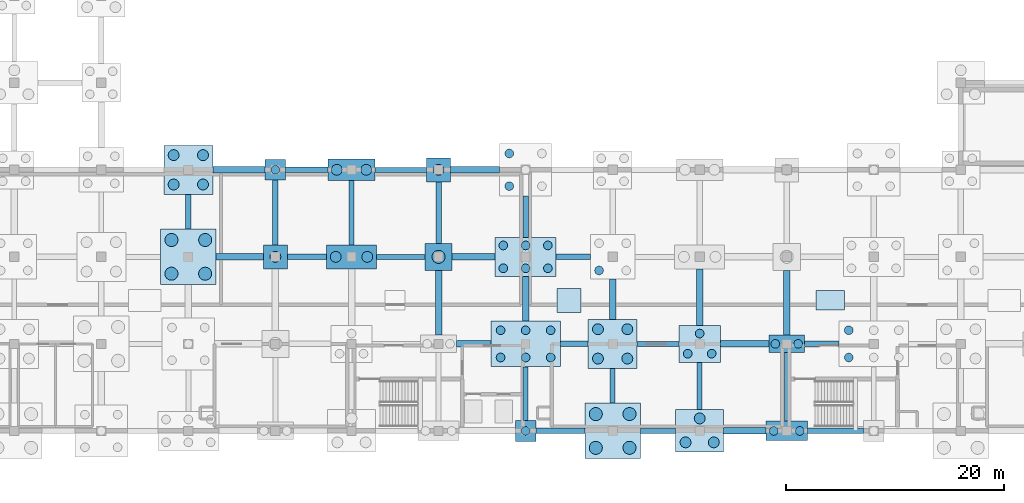
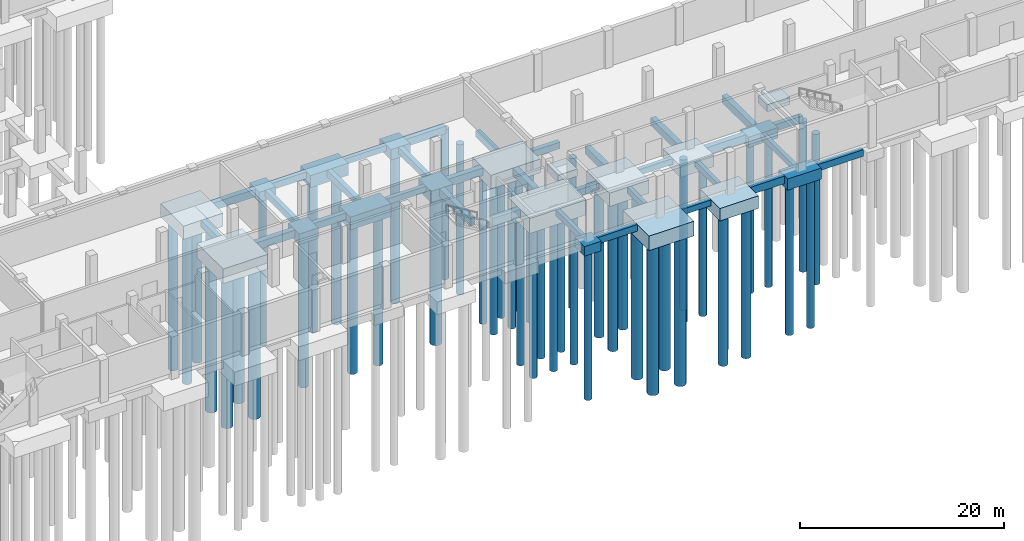
# One storey, part 5 of 26: 52 piles, 51 footings.
"""IFC4 building model written with IfcOpenShell, lengths in metres."""

from ifc_helpers import new_model, si_unit, direction, frame, origin, origin_2d, place, context, subcontext, project, spatial, rectangle, circle, extrude, material, layer, layer_set, material_profile, profile_set, type_object, element, save


model = new_model("IFC4")

# Units and contexts
model_context = context("Model", 3, precision=1e-05, world=origin(), true_north=direction((0.0, 1.0)))
body_context = subcontext(model_context, "Body", "Model", "MODEL_VIEW")
ifc_project = project(units=[si_unit("LENGTHUNIT", "METRE"), si_unit("AREAUNIT", "SQUARE_METRE"), si_unit("VOLUMEUNIT", "CUBIC_METRE"), si_unit("PLANEANGLEUNIT", "RADIAN"), si_unit("MASSUNIT", "GRAM", prefix="KILO")], contexts=[model_context])

# Site, building, storey
site_placement = place(None, origin())
site = spatial("IfcSite", under=ifc_project, at=site_placement, CompositionType="ELEMENT")
building_placement = place(site_placement, origin())
building = spatial("IfcBuilding", under=site, at=building_placement, Name="Qorikala Patio Media Centre", CompositionType="ELEMENT")
storey_placement = place(building_placement, frame((0.0, 0.0, -4.5)))
storey = spatial("IfcBuildingStorey", under=building, at=storey_placement, Name="B1", CompositionType="ELEMENT", Elevation=-4.5)

# Footings
ifc_material = material(Name="Concrete C30/37", Category="concrete")
ifc_material_profile_1 = material_profile(ifc_material, rectangle(XDim=0.449951171875, YDim=0.699951171875, at=origin_2d()), Name="RC 450x700")
ifc_profile_set_1 = profile_set([ifc_material_profile_1], Name="Concrete C30/37")
footing_type_1 = type_object("IfcFootingType", Name="GB-450X700", PredefinedType="FOOTING_BEAM", material=ifc_profile_set_1)
footing_1_placement = place(storey_placement, frame((108.550048828125, 3.0, -0.949951171875), z_axis=(1.0, 0.0, 0.0), x_axis=(0.0, 1.0, 0.0)))
element("IfcFooting", 1, at=footing_1_placement, inside=storey, type_object=footing_type_1, Name="Ground Tie Beam X-014", PredefinedType="FOOTING_BEAM", context=body_context, shape_type="SweptSolid", body=[
    extrude(rectangle(XDim=0.449951171875, YDim=0.699951171875, at=origin_2d()), origin(), (0.0, 0.0, 1.0), 3.25),
])
footing_2_placement = place(storey_placement, frame((108.25, 11.0, -0.949951171875), z_axis=(1.0, 0.0, 0.0), x_axis=(0.0, 1.0, 0.0)))
element("IfcFooting", 2, at=footing_2_placement, inside=storey, type_object=footing_type_1, Name="Ground Tie Beam X-035", PredefinedType="FOOTING_BEAM", context=body_context, shape_type="SweptSolid", body=[
    extrude(rectangle(XDim=0.449951171875, YDim=0.699951171875, at=origin_2d()), origin(), (0.0, 0.0, 1.0), 3.85009765625),
])
footing_3_placement = place(storey_placement, frame((84.300048828125, 19.0, -0.949951171875), z_axis=(1.0, 0.0, 0.0), x_axis=(0.0, 1.0, 0.0)))
element("IfcFooting", 3, at=footing_3_placement, inside=storey, type_object=footing_type_1, Name="Ground Tie Beam X-053", PredefinedType="FOOTING_BEAM", context=body_context, shape_type="SweptSolid", body=[
    extrude(rectangle(XDim=0.449951171875, YDim=0.699951171875, at=origin_2d()), origin(), (0.0, 0.0, 1.0), 4.449951171875),
])
footing_4_placement = place(storey_placement, frame((84.14990234375, 27.0, -0.949951171875), z_axis=(1.0, 0.0, 0.0), x_axis=(0.0, 1.0, 0.0)))
element("IfcFooting", 4, at=footing_4_placement, inside=storey, type_object=footing_type_1, Name="Ground Tie Beam X-074", PredefinedType="FOOTING_BEAM", context=body_context, shape_type="SweptSolid", body=[
    extrude(rectangle(XDim=0.449951171875, YDim=0.699951171875, at=origin_2d()), origin(), (0.0, 0.0, 1.0), 4.75),
])
footing_5_placement = place(storey_placement, frame((98.0, 3.949951171875, -0.949951171875), z_axis=(0.0, 1.0, 0.0), x_axis=(-1.0, 0.0, 0.0)))
element("IfcFooting", 5, at=footing_5_placement, inside=storey, type_object=footing_type_1, Name="Ground Tie Beam Y-296", PredefinedType="FOOTING_BEAM", context=body_context, shape_type="SweptSolid", body=[
    extrude(rectangle(XDim=0.449951171875, YDim=0.699951171875, at=origin_2d()), origin(), (0.0, 0.0, 1.0), 4.949951171875),
])
footing_6_placement = place(storey_placement, frame((106.0, 5.550048828125, -0.949951171875), z_axis=(0.0, 1.0, 0.0), x_axis=(-1.0, 0.0, 0.0)))
element("IfcFooting", 6, at=footing_6_placement, inside=storey, type_object=footing_type_1, Name="Ground Tie Beam Y-299", PredefinedType="FOOTING_BEAM", context=body_context, shape_type="SweptSolid", body=[
    extrude(rectangle(XDim=0.449951171875, YDim=0.699951171875, at=origin_2d()), origin(), (0.0, 0.0, 1.0), 3.199951171875),
])
footing_7_placement = place(storey_placement, frame((114.0, 4.949951171875, -0.949951171875), z_axis=(0.0, 1.0, 0.0), x_axis=(-1.0, 0.0, 0.0)))
element("IfcFooting", 7, at=footing_7_placement, inside=storey, type_object=footing_type_1, Name="Ground Tie Beam Y-302", PredefinedType="FOOTING_BEAM", context=body_context, shape_type="SweptSolid", body=[
    extrude(rectangle(XDim=0.449951171875, YDim=0.699951171875, at=origin_2d()), origin(), (0.0, 0.0, 1.0), 4.35009765625),
])
footing_8_placement = place(storey_placement, frame((122.0, 3.89990234375, -0.949951171875), z_axis=(0.0, 1.0, 0.0), x_axis=(-1.0, 0.0, 0.0)))
element("IfcFooting", 8, at=footing_8_placement, inside=storey, type_object=footing_type_1, Name="Ground Tie Beam Y-305", PredefinedType="FOOTING_BEAM", context=body_context, shape_type="SweptSolid", body=[
    extrude(rectangle(XDim=0.449951171875, YDim=0.699951171875, at=origin_2d()), origin(), (0.0, 0.0, 1.0), 6.300048828125),
])
ifc_material_profile_2 = material_profile(ifc_material, rectangle(XDim=0.5, YDim=0.800048828125, at=origin_2d()), Name="RC 500x800")
ifc_profile_set_2 = profile_set([ifc_material_profile_2], Name="Concrete C30/37")
footing_type_2 = type_object("IfcFootingType", Name="GB-500X800", PredefinedType="FOOTING_BEAM", material=ifc_profile_set_2)
footing_9_placement = place(storey_placement, frame((98.949951171875, 3.0, -1.0), z_axis=(1.0, 0.0, 0.0), x_axis=(0.0, 1.0, 0.0)))
element("IfcFooting", 9, at=footing_9_placement, inside=storey, type_object=footing_type_2, Name="Ground Tie Beam X-013", PredefinedType="FOOTING_BEAM", context=body_context, shape_type="SweptSolid", body=[
    extrude(rectangle(XDim=0.5, YDim=0.800048828125, at=origin_2d()), origin(), (0.0, 0.0, 1.0), 4.5),
])
footing_10_placement = place(storey_placement, frame((123.89990234375, 3.0, -1.0), z_axis=(1.0, 0.0, 0.0), x_axis=(0.0, 1.0, 0.0)))
element("IfcFooting", 10, at=footing_10_placement, inside=storey, type_object=footing_type_2, Name="Ground Tie Beam X-016", PredefinedType="FOOTING_BEAM", context=body_context, shape_type="SweptSolid", body=[
    extrude(rectangle(XDim=0.5, YDim=0.800048828125, at=origin_2d()), origin(), (0.0, 0.0, 1.0), 5.150146484375),
])
footing_11_placement = place(storey_placement, frame((101.199951171875, 11.0, -1.0), z_axis=(1.0, 0.0, 0.0), x_axis=(0.0, 1.0, 0.0)))
element("IfcFooting", 11, at=footing_11_placement, inside=storey, type_object=footing_type_2, Name="Ground Tie Beam X-034", PredefinedType="FOOTING_BEAM", context=body_context, shape_type="SweptSolid", body=[
    extrude(rectangle(XDim=0.5, YDim=0.800048828125, at=origin_2d()), origin(), (0.0, 0.0, 1.0), 2.550048828125),
])
footing_12_placement = place(storey_placement, frame((123.64990234375, 11.0, -1.0), z_axis=(1.0, 0.0, 0.0), x_axis=(0.0, 1.0, 0.0)))
element("IfcFooting", 12, at=footing_12_placement, inside=storey, type_object=footing_type_2, Name="Ground Tie Beam X-037", PredefinedType="FOOTING_BEAM", context=body_context, shape_type="SweptSolid", body=[
    extrude(rectangle(XDim=0.5, YDim=0.800048828125, at=origin_2d()), origin(), (0.0, 0.0, 1.0), 3.150146484375),
])
footing_13_placement = place(storey_placement, frame((76.10009765625, 19.0, -1.0), z_axis=(1.0, 0.0, 0.0), x_axis=(0.0, 1.0, 0.0)))
element("IfcFooting", 13, at=footing_13_placement, inside=storey, type_object=footing_type_2, Name="Ground Tie Beam X-052", PredefinedType="FOOTING_BEAM", context=body_context, shape_type="SweptSolid", body=[
    extrude(rectangle(XDim=0.5, YDim=0.800048828125, at=origin_2d()), origin(), (0.0, 0.0, 1.0), 3.599853515625),
])
footing_14_placement = place(storey_placement, frame((100.800048828125, 19.0, -1.0), z_axis=(1.0, 0.0, 0.0), x_axis=(0.0, 1.0, 0.0)))
element("IfcFooting", 14, at=footing_14_placement, inside=storey, type_object=footing_type_2, Name="Ground Tie Beam X-055", PredefinedType="FOOTING_BEAM", context=body_context, shape_type="SweptSolid", body=[
    extrude(rectangle(XDim=0.5, YDim=0.800048828125, at=origin_2d()), origin(), (0.0, 0.0, 1.0), 3.14990234375),
])
footing_15_placement = place(storey_placement, frame((75.949951171875, 27.0, -1.0), z_axis=(1.0, 0.0, 0.0), x_axis=(0.0, 1.0, 0.0)))
element("IfcFooting", 15, at=footing_15_placement, inside=storey, type_object=footing_type_2, Name="Ground Tie Beam X-073", PredefinedType="FOOTING_BEAM", context=body_context, shape_type="SweptSolid", body=[
    extrude(rectangle(XDim=0.5, YDim=0.800048828125, at=origin_2d()), origin(), (0.0, 0.0, 1.0), 3.900146484375),
])
footing_16_placement = place(storey_placement, frame((67.0, 21.550048828125, -1.0), z_axis=(0.0, 1.0, 0.0), x_axis=(-1.0, 0.0, 0.0)))
element("IfcFooting", 16, at=footing_16_placement, inside=storey, type_object=footing_type_2, Name="Ground Tie Beam Y-274", PredefinedType="FOOTING_BEAM", context=body_context, shape_type="SweptSolid", body=[
    extrude(rectangle(XDim=0.5, YDim=0.800048828125, at=origin_2d()), origin(), (0.0, 0.0, 1.0), 3.199951171875),
])
footing_17_placement = place(storey_placement, frame((75.0, 20.10009765625, -1.0), z_axis=(0.0, 1.0, 0.0), x_axis=(-1.0, 0.0, 0.0)))
element("IfcFooting", 17, at=footing_17_placement, inside=storey, type_object=footing_type_2, Name="Ground Tie Beam Y-283", PredefinedType="FOOTING_BEAM", context=body_context, shape_type="SweptSolid", body=[
    extrude(rectangle(XDim=0.5, YDim=0.800048828125, at=origin_2d()), origin(), (0.0, 0.0, 1.0), 5.949951171875),
])
footing_18_placement = place(storey_placement, frame((82.0, 20.10009765625, -1.0), z_axis=(0.0, 1.0, 0.0), x_axis=(-1.0, 0.0, 0.0)))
element("IfcFooting", 18, at=footing_18_placement, inside=storey, type_object=footing_type_2, Name="Ground Tie Beam Y-292", PredefinedType="FOOTING_BEAM", context=body_context, shape_type="SweptSolid", body=[
    extrude(rectangle(XDim=0.5, YDim=0.800048828125, at=origin_2d()), origin(), (0.0, 0.0, 1.0), 5.89990234375),
])
footing_19_placement = place(storey_placement, frame((90.0, 20.25, -1.0), z_axis=(0.0, 1.0, 0.0), x_axis=(-1.0, 0.0, 0.0)))
element("IfcFooting", 19, at=footing_19_placement, inside=storey, type_object=footing_type_2, Name="Ground Tie Beam Y-295", PredefinedType="FOOTING_BEAM", context=body_context, shape_type="SweptSolid", body=[
    extrude(rectangle(XDim=0.5, YDim=0.800048828125, at=origin_2d()), origin(), (0.0, 0.0, 1.0), 5.64990234375),
])
footing_20_placement = place(storey_placement, frame((98.0, 20.800048828125, -1.0), z_axis=(0.0, 1.0, 0.0), x_axis=(-1.0, 0.0, 0.0)))
element("IfcFooting", 20, at=footing_20_placement, inside=storey, type_object=footing_type_2, Name="Ground Tie Beam Y-298", PredefinedType="FOOTING_BEAM", context=body_context, shape_type="SweptSolid", body=[
    extrude(rectangle(XDim=0.5, YDim=0.800048828125, at=origin_2d()), origin(), (0.0, 0.0, 1.0), 3.800048828125),
])
ifc_material_profile_3 = material_profile(ifc_material, rectangle(XDim=0.60009765625, YDim=0.89990234375, at=origin_2d()), Name="RC 600x900")
ifc_profile_set_3 = profile_set([ifc_material_profile_3], Name="Concrete C30/37")
footing_type_3 = type_object("IfcFootingType", Name="GB-600X900", PredefinedType="FOOTING_BEAM", material=ifc_profile_set_3)
footing_21_placement = place(storey_placement, frame((116.199951171875, 3.0, -1.050048828125), z_axis=(1.0, 0.0, 0.0), x_axis=(0.0, 1.0, 0.0)))
element("IfcFooting", 21, at=footing_21_placement, inside=storey, type_object=footing_type_3, Name="Ground Tie Beam X-015", PredefinedType="FOOTING_BEAM", context=body_context, shape_type="SweptSolid", body=[
    extrude(rectangle(XDim=0.60009765625, YDim=0.89990234375, at=origin_2d()), origin(), (0.0, 0.0, 1.0), 3.900146484375),
])
footing_22_placement = place(storey_placement, frame((91.64990234375, 11.0, -1.050048828125), z_axis=(1.0, 0.0, 0.0), x_axis=(0.0, 1.0, 0.0)))
element("IfcFooting", 22, at=footing_22_placement, inside=storey, type_object=footing_type_3, Name="Ground Tie Beam X-033", PredefinedType="FOOTING_BEAM", context=body_context, shape_type="SweptSolid", body=[
    extrude(rectangle(XDim=0.60009765625, YDim=0.89990234375, at=origin_2d()), origin(), (0.0, 0.0, 1.0), 3.150146484375),
])
footing_23_placement = place(storey_placement, frame((115.89990234375, 11.0, -1.050048828125), z_axis=(1.0, 0.0, 0.0), x_axis=(0.0, 1.0, 0.0)))
element("IfcFooting", 23, at=footing_23_placement, inside=storey, type_object=footing_type_3, Name="Ground Tie Beam X-036", PredefinedType="FOOTING_BEAM", context=body_context, shape_type="SweptSolid", body=[
    extrude(rectangle(XDim=0.60009765625, YDim=0.89990234375, at=origin_2d()), origin(), (0.0, 0.0, 1.0), 4.4501953125),
])
footing_24_placement = place(storey_placement, frame((69.550048828125, 19.0, -1.050048828125), z_axis=(1.0, 0.0, 0.0), x_axis=(0.0, 1.0, 0.0)))
element("IfcFooting", 24, at=footing_24_placement, inside=storey, type_object=footing_type_3, Name="Ground Tie Beam X-051", PredefinedType="FOOTING_BEAM", context=body_context, shape_type="SweptSolid", body=[
    extrude(rectangle(XDim=0.60009765625, YDim=0.89990234375, at=origin_2d()), origin(), (0.0, 0.0, 1.0), 4.349853515625),
])
footing_25_placement = place(storey_placement, frame((91.25, 19.0, -1.050048828125), z_axis=(1.0, 0.0, 0.0), x_axis=(0.0, 1.0, 0.0)))
element("IfcFooting", 25, at=footing_25_placement, inside=storey, type_object=footing_type_3, Name="Ground Tie Beam X-054", PredefinedType="FOOTING_BEAM", context=body_context, shape_type="SweptSolid", body=[
    extrude(rectangle(XDim=0.60009765625, YDim=0.89990234375, at=origin_2d()), origin(), (0.0, 0.0, 1.0), 3.949951171875),
])
footing_26_placement = place(storey_placement, frame((69.25, 27.0, -1.050048828125), z_axis=(1.0, 0.0, 0.0), x_axis=(0.0, 1.0, 0.0)))
element("IfcFooting", 26, at=footing_26_placement, inside=storey, type_object=footing_type_3, Name="Ground Tie Beam X-072", PredefinedType="FOOTING_BEAM", context=body_context, shape_type="SweptSolid", body=[
    extrude(rectangle(XDim=0.60009765625, YDim=0.89990234375, at=origin_2d()), origin(), (0.0, 0.0, 1.0), 4.800048828125),
])
footing_27_placement = place(storey_placement, frame((91.10009765625, 27.0, -1.050048828125), z_axis=(1.0, 0.0, 0.0), x_axis=(0.0, 1.0, 0.0)))
element("IfcFooting", 27, at=footing_27_placement, inside=storey, type_object=footing_type_3, Name="Ground Tie Beam X-075", PredefinedType="FOOTING_BEAM", context=body_context, shape_type="SweptSolid", body=[
    extrude(rectangle(XDim=0.60009765625, YDim=0.89990234375, at=origin_2d()), origin(), (0.0, 0.0, 1.0), 4.5),
])
footing_28_placement = place(storey_placement, frame((90.0, 11.800048828125, -1.050048828125), z_axis=(0.0, 1.0, 0.0), x_axis=(-1.0, 0.0, 0.0)))
element("IfcFooting", 28, at=footing_28_placement, inside=storey, type_object=footing_type_3, Name="Ground Tie Beam Y-294", PredefinedType="FOOTING_BEAM", context=body_context, shape_type="SweptSolid", body=[
    extrude(rectangle(XDim=0.60009765625, YDim=0.89990234375, at=origin_2d()), origin(), (0.0, 0.0, 1.0), 5.949951171875),
])
footing_29_placement = place(storey_placement, frame((98.0, 13.10009765625, -1.050048828125), z_axis=(0.0, 1.0, 0.0), x_axis=(-1.0, 0.0, 0.0)))
element("IfcFooting", 29, at=footing_29_placement, inside=storey, type_object=footing_type_3, Name="Ground Tie Beam Y-297", PredefinedType="FOOTING_BEAM", context=body_context, shape_type="SweptSolid", body=[
    extrude(rectangle(XDim=0.60009765625, YDim=0.89990234375, at=origin_2d()), origin(), (0.0, 0.0, 1.0), 4.099853515625),
])
footing_30_placement = place(storey_placement, frame((106.0, 13.25, -1.050048828125), z_axis=(0.0, 1.0, 0.0), x_axis=(-1.0, 0.0, 0.0)))
element("IfcFooting", 30, at=footing_30_placement, inside=storey, type_object=footing_type_3, Name="Ground Tie Beam Y-300", PredefinedType="FOOTING_BEAM", context=body_context, shape_type="SweptSolid", body=[
    extrude(rectangle(XDim=0.60009765625, YDim=0.89990234375, at=origin_2d()), origin(), (0.0, 0.0, 1.0), 3.699951171875),
])
footing_31_placement = place(storey_placement, frame((114.0, 12.699951171875, -1.050048828125), z_axis=(0.0, 1.0, 0.0), x_axis=(-1.0, 0.0, 0.0)))
element("IfcFooting", 31, at=footing_31_placement, inside=storey, type_object=footing_type_3, Name="Ground Tie Beam Y-303", PredefinedType="FOOTING_BEAM", context=body_context, shape_type="SweptSolid", body=[
    extrude(rectangle(XDim=0.60009765625, YDim=0.89990234375, at=origin_2d()), origin(), (0.0, 0.0, 1.0), 5.199951171875),
])
footing_32_placement = place(storey_placement, frame((122.0, 11.800048828125, -1.050048828125), z_axis=(0.0, 1.0, 0.0), x_axis=(-1.0, 0.0, 0.0)))
element("IfcFooting", 32, at=footing_32_placement, inside=storey, type_object=footing_type_3, Name="Ground Tie Beam Y-306", PredefinedType="FOOTING_BEAM", context=body_context, shape_type="SweptSolid", body=[
    extrude(rectangle(XDim=0.60009765625, YDim=0.89990234375, at=origin_2d()), origin(), (0.0, 0.0, 1.0), 5.949951171875),
])
ifc_layer_1 = layer(ifc_material, 1.14990234375)
ifc_layer_set_1 = layer_set([ifc_layer_1], Name="Concrete C30/37")
footing_type_4 = type_object("IfcFootingType", Name="PC-1A", PredefinedType="PILE_CAP", material=ifc_layer_set_1)
for number, where, z_axis, x_axis, name in (
    (33, (75.0, 27.0, -1.75), (0.0, 0.0, 1.0), (1.0, 0.0, 0.0), "Pile Cap PC-1A at (75.0,27.0)"),
    (34, (98.0, 3.0, -1.75), (0.0, 0.0, 1.0), (1.0, 0.0, 0.0), "Pile Cap PC-1A at (98.0,3.0)"),
):
    element("IfcFooting", number, at=place(storey_placement, frame(where, z_axis=z_axis, x_axis=x_axis)), inside=storey, type_object=footing_type_4, Name=name, PredefinedType="PILE_CAP", context=body_context, shape_type="SweptSolid", body=[
        extrude(rectangle(XDim=1.89990234375, YDim=1.89990234375, at=origin_2d()), origin(), (0.0, 0.0, 1.0), 1.14990234375),
    ])
ifc_layer_2 = layer(ifc_material, 1.25)
ifc_layer_set_2 = layer_set([ifc_layer_2], Name="Concrete C30/37")
footing_type_5 = type_object("IfcFootingType", Name="PC-1B", PredefinedType="PILE_CAP", material=ifc_layer_set_2)
for number, where, z_axis, x_axis, name in (
    (35, (75.0, 19.0, -1.85009765625), (0.0, 0.0, 1.0), (1.0, 0.0, 0.0), "Pile Cap PC-1B at (75.0,19.0)"),
    (36, (90.0, 27.0, -1.85009765625), (0.0, 0.0, 1.0), (1.0, 0.0, 0.0), "Pile Cap PC-1B at (90.0,27.0)"),
):
    element("IfcFooting", number, at=place(storey_placement, frame(where, z_axis=z_axis, x_axis=x_axis)), inside=storey, type_object=footing_type_5, Name=name, PredefinedType="PILE_CAP", context=body_context, shape_type="SweptSolid", body=[
        extrude(rectangle(XDim=2.199951171875, YDim=2.199951171875, at=origin_2d()), origin(), (0.0, 0.0, 1.0), 1.25),
    ])
ifc_layer_3 = layer(ifc_material, 1.35009765625)
ifc_layer_set_3 = layer_set([ifc_layer_3], Name="Concrete C30/37")
footing_type_6 = type_object("IfcFootingType", Name="PC-1C", PredefinedType="PILE_CAP", material=ifc_layer_set_3)
footing_33_placement = place(storey_placement, frame((90.0, 19.0, -1.949951171875), z_axis=(0.0, 0.0, 1.0), x_axis=(1.0, 0.0, 0.0)))
element("IfcFooting", 37, at=footing_33_placement, inside=storey, type_object=footing_type_6, Name="Pile Cap PC-1C at (90.0,19.0)", PredefinedType="PILE_CAP", context=body_context, shape_type="SweptSolid", body=[
    extrude(rectangle(XDim=2.5, YDim=2.5, at=origin_2d()), origin(), (0.0, 0.0, 1.0), 1.35009765625),
])
ifc_layer_4 = layer(ifc_material, 1.25)
ifc_layer_set_4 = layer_set([ifc_layer_4], Name="Concrete C30/37")
footing_type_7 = type_object("IfcFootingType", Name="PC-2A", PredefinedType="PILE_CAP", material=ifc_layer_set_4)
footing_34_placement = place(storey_placement, frame((122.0, 11.0, -1.85009765625), z_axis=(0.0, 0.0, 1.0), x_axis=(1.0, 0.0, 0.0)))
element("IfcFooting", 38, at=footing_34_placement, inside=storey, type_object=footing_type_7, Name="Pile Cap PC-2A at (122.0,11.0)", PredefinedType="PILE_CAP", context=body_context, shape_type="SweptSolid", body=[
    extrude(rectangle(XDim=3.300048828125, YDim=1.60009765625, at=origin_2d()), origin(), (0.0, 0.0, 1.0), 1.25),
])
ifc_layer_5 = layer(ifc_material, 1.35009765625)
ifc_layer_set_5 = layer_set([ifc_layer_5], Name="Concrete C30/37")
footing_type_8 = type_object("IfcFootingType", Name="PC-2B", PredefinedType="PILE_CAP", material=ifc_layer_set_5)
footing_35_placement = place(storey_placement, frame((122.0, 3.0, -1.949951171875), z_axis=(0.0, 0.0, 1.0), x_axis=(1.0, 0.0, 0.0)))
element("IfcFooting", 39, at=footing_35_placement, inside=storey, type_object=footing_type_8, Name="Pile Cap PC-2B at (122.0,3.0)", PredefinedType="PILE_CAP", context=body_context, shape_type="SweptSolid", body=[
    extrude(rectangle(XDim=3.800048828125, YDim=1.800048828125, at=origin_2d()), origin(), (0.0, 0.0, 1.0), 1.35009765625),
])
ifc_layer_6 = layer(ifc_material, 1.449951171875)
ifc_layer_set_6 = layer_set([ifc_layer_6], Name="Concrete C30/37")
footing_type_9 = type_object("IfcFootingType", Name="PC-2C", PredefinedType="PILE_CAP", material=ifc_layer_set_6)
footing_36_placement = place(storey_placement, frame((82.0, 27.0, -2.0498046875), z_axis=(0.0, 0.0, 1.0), x_axis=(1.0, 0.0, 0.0)))
element("IfcFooting", 40, at=footing_36_placement, inside=storey, type_object=footing_type_9, Name="Pile Cap PC-2C at (82.0,27.0)", PredefinedType="PILE_CAP", context=body_context, shape_type="SweptSolid", body=[
    extrude(rectangle(XDim=4.300048828125, YDim=2.0, at=origin_2d()), origin(), (0.0, 0.0, 1.0), 1.449951171875),
])
ifc_layer_7 = layer(ifc_material, 1.550048828125)
ifc_layer_set_7 = layer_set([ifc_layer_7], Name="Concrete C30/37")
footing_type_10 = type_object("IfcFootingType", Name="PC-2D", PredefinedType="PILE_CAP", material=ifc_layer_set_7)
footing_37_placement = place(storey_placement, frame((82.0, 19.0, -2.14990234375), z_axis=(0.0, 0.0, 1.0), x_axis=(1.0, 0.0, 0.0)))
element("IfcFooting", 41, at=footing_37_placement, inside=storey, type_object=footing_type_10, Name="Pile Cap PC-2D at (82.0,19.0)", PredefinedType="PILE_CAP", context=body_context, shape_type="SweptSolid", body=[
    extrude(rectangle(XDim=4.60009765625, YDim=2.199951171875, at=origin_2d()), origin(), (0.0, 0.0, 1.0), 1.550048828125),
])
ifc_layer_8 = layer(ifc_material, 1.39990234375)
ifc_layer_set_8 = layer_set([ifc_layer_8], Name="Concrete C30/37")
footing_type_11 = type_object("IfcFootingType", Name="PC-3A", PredefinedType="PILE_CAP", material=ifc_layer_set_8)
footing_38_placement = place(storey_placement, frame((114.0, 11.0, -2.0), z_axis=(0.0, 0.0, 1.0), x_axis=(1.0, 0.0, 0.0)))
element("IfcFooting", 42, at=footing_38_placement, inside=storey, type_object=footing_type_11, Name="Pile Cap PC-3A at (114.0,11.0)", PredefinedType="PILE_CAP", context=body_context, shape_type="SweptSolid", body=[
    extrude(rectangle(XDim=3.800048828125, YDim=3.39990234375, at=origin_2d()), origin(), (0.0, 0.0, 1.0), 1.39990234375),
])
ifc_layer_9 = layer(ifc_material, 1.5)
ifc_layer_set_9 = layer_set([ifc_layer_9], Name="Concrete C30/37")
footing_type_12 = type_object("IfcFootingType", Name="PC-3B", PredefinedType="PILE_CAP", material=ifc_layer_set_9)
footing_39_placement = place(storey_placement, frame((114.0, 3.0, -2.10009765625), z_axis=(0.0, 0.0, 1.0), x_axis=(1.0, 0.0, 0.0)))
element("IfcFooting", 43, at=footing_39_placement, inside=storey, type_object=footing_type_12, Name="Pile Cap PC-3B at (114.0,3.0)", PredefinedType="PILE_CAP", context=body_context, shape_type="SweptSolid", body=[
    extrude(rectangle(XDim=4.39990234375, YDim=3.89990234375, at=origin_2d()), origin(), (0.0, 0.0, 1.0), 1.5),
])
ifc_layer_10 = layer(ifc_material, 1.60009765625)
ifc_layer_set_10 = layer_set([ifc_layer_10], Name="Concrete C30/37")
footing_type_13 = type_object("IfcFootingType", Name="PC-4C", PredefinedType="PILE_CAP", material=ifc_layer_set_10)
for number, where, z_axis, x_axis, name in (
    (44, (67.0, 27.0, -2.199951171875), (0.0, 0.0, 1.0), (1.0, 0.0, 0.0), "Pile Cap PC-4C at (67.0,27.0)"),
    (45, (106.0, 11.0, -2.199951171875), (0.0, 0.0, 1.0), (1.0, 0.0, 0.0), "Pile Cap PC-4C at (106.0,11.0)"),
):
    element("IfcFooting", number, at=place(storey_placement, frame(where, z_axis=z_axis, x_axis=x_axis)), inside=storey, type_object=footing_type_13, Name=name, PredefinedType="PILE_CAP", context=body_context, shape_type="SweptSolid", body=[
        extrude(rectangle(XDim=4.5, YDim=4.5, at=origin_2d()), origin(), (0.0, 0.0, 1.0), 1.60009765625),
    ])
ifc_layer_11 = layer(ifc_material, 1.75)
ifc_layer_set_11 = layer_set([ifc_layer_11], Name="Concrete C30/37")
footing_type_14 = type_object("IfcFootingType", Name="PC-4D", PredefinedType="PILE_CAP", material=ifc_layer_set_11)
for number, where, z_axis, x_axis, name in (
    (46, (67.0, 19.0, -2.35009765625), (0.0, 0.0, 1.0), (1.0, 0.0, 0.0), "Pile Cap PC-4D at (67.0,19.0)"),
    (47, (106.0, 3.0, -2.35009765625), (0.0, 0.0, 1.0), (1.0, 0.0, 0.0), "Pile Cap PC-4D at (106.0,3.0)"),
):
    element("IfcFooting", number, at=place(storey_placement, frame(where, z_axis=z_axis, x_axis=x_axis)), inside=storey, type_object=footing_type_14, Name=name, PredefinedType="PILE_CAP", context=body_context, shape_type="SweptSolid", body=[
        extrude(rectangle(XDim=5.10009765625, YDim=5.10009765625, at=origin_2d()), origin(), (0.0, 0.0, 1.0), 1.75),
    ])
ifc_layer_12 = layer(ifc_material, 1.64990234375)
ifc_layer_set_12 = layer_set([ifc_layer_12], Name="Concrete C30/37")
footing_type_15 = type_object("IfcFootingType", Name="PC-6A", PredefinedType="PILE_CAP", material=ifc_layer_set_12)
footing_40_placement = place(storey_placement, frame((98.0, 19.0, -2.25), z_axis=(0.0, 0.0, 1.0), x_axis=(1.0, 0.0, 0.0)))
element("IfcFooting", 48, at=footing_40_placement, inside=storey, type_object=footing_type_15, Name="Pile Cap PC-6A at (98.0,19.0)", PredefinedType="PILE_CAP", context=body_context, shape_type="SweptSolid", body=[
    extrude(rectangle(XDim=5.60009765625, YDim=3.60009765625, at=origin_2d()), origin(), (0.0, 0.0, 1.0), 1.64990234375),
])
ifc_layer_13 = layer(ifc_material, 1.800048828125)
ifc_layer_set_13 = layer_set([ifc_layer_13], Name="Concrete C30/37")
footing_type_16 = type_object("IfcFootingType", Name="PC-6B", PredefinedType="PILE_CAP", material=ifc_layer_set_13)
footing_41_placement = place(storey_placement, frame((98.0, 11.0, -2.39990234375), z_axis=(0.0, 0.0, 1.0), x_axis=(1.0, 0.0, 0.0)))
element("IfcFooting", 49, at=footing_41_placement, inside=storey, type_object=footing_type_16, Name="Pile Cap PC-6B at (98.0,11.0)", PredefinedType="PILE_CAP", context=body_context, shape_type="SweptSolid", body=[
    extrude(rectangle(XDim=6.39990234375, YDim=4.199951171875, at=origin_2d()), origin(), (0.0, 0.0, 1.0), 1.800048828125),
])
ifc_layer_14 = layer(ifc_material, 0.85009765625)
ifc_layer_set_14 = layer_set([ifc_layer_14], Name="Concrete C30/37")
footing_type_17 = type_object("IfcFootingType", Name="PF-220", PredefinedType="PAD_FOOTING", material=ifc_layer_set_14)
footing_42_placement = place(storey_placement, frame((102.0, 15.0, -1.449951171875), z_axis=(0.0, 0.0, 1.0), x_axis=(1.0, 0.0, 0.0)))
element("IfcFooting", 50, at=footing_42_placement, inside=storey, type_object=footing_type_17, Name="Courtyard Pad Footing 06", PredefinedType="PAD_FOOTING", context=body_context, shape_type="SweptSolid", body=[
    extrude(rectangle(XDim=2.199951171875, YDim=2.199951171875, at=origin_2d()), origin(), (0.0, 0.0, 1.0), 0.85009765625),
])
ifc_layer_15 = layer(ifc_material, 0.85009765625)
ifc_layer_set_15 = layer_set([ifc_layer_15], Name="Concrete C30/37")
footing_type_18 = type_object("IfcFootingType", Name="PF-260", PredefinedType="PAD_FOOTING", material=ifc_layer_set_15)
footing_43_placement = place(storey_placement, frame((126.0, 15.0, -1.449951171875), z_axis=(0.0, 0.0, 1.0), x_axis=(1.0, 0.0, 0.0)))
element("IfcFooting", 51, at=footing_43_placement, inside=storey, type_object=footing_type_18, Name="Courtyard Pad Footing 07", PredefinedType="PAD_FOOTING", context=body_context, shape_type="SweptSolid", body=[
    extrude(rectangle(XDim=2.60009765625, YDim=1.800048828125, at=origin_2d()), origin(), (0.0, 0.0, 1.0), 0.85009765625),
])

# Piles
ifc_material_profile_4 = material_profile(ifc_material, circle(Radius=0.5, at=origin_2d()), Name="BORED PILE 1000")
ifc_profile_set_4 = profile_set([ifc_material_profile_4], Name="Concrete C30/37")
pile_type_1 = type_object("IfcPileType", Name="PILE-1000", PredefinedType="BORED", material=ifc_profile_set_4)
for number, where, z_axis, x_axis, name in (
    (52, (65.64990234375, 25.64990234375, -2.10009765625), (0.0, 0.0, -1.0), (1.0, 0.0, 0.0), "Bored Pile 0371"),
    (53, (68.35009765625, 25.64990234375, -2.10009765625), (0.0, 0.0, -1.0), (1.0, 0.0, 0.0), "Bored Pile 0372"),
    (54, (65.64990234375, 28.35009765625, -2.10009765625), (0.0, 0.0, -1.0), (1.0, 0.0, 0.0), "Bored Pile 0373"),
    (55, (68.35009765625, 28.35009765625, -2.10009765625), (0.0, 0.0, -1.0), (1.0, 0.0, 0.0), "Bored Pile 0374"),
    (56, (75.0, 19.0, -1.75), (0.0, 0.0, -1.0), (1.0, 0.0, 0.0), "Bored Pile 0398"),
    (57, (80.550048828125, 19.0, -2.050048828125), (0.0, 0.0, -1.0), (1.0, 0.0, 0.0), "Bored Pile 0439"),
    (58, (83.449951171875, 19.0, -2.050048828125), (0.0, 0.0, -1.0), (1.0, 0.0, 0.0), "Bored Pile 0440"),
    (59, (80.64990234375, 27.0, -1.949951171875), (0.0, 0.0, -1.0), (1.0, 0.0, 0.0), "Bored Pile 0441"),
    (60, (83.35009765625, 27.0, -1.949951171875), (0.0, 0.0, -1.0), (1.0, 0.0, 0.0), "Bored Pile 0442"),
    (61, (90.0, 27.0, -1.75), (0.0, 0.0, -1.0), (1.0, 0.0, 0.0), "Bored Pile 0448"),
    (62, (104.64990234375, 9.64990234375, -2.10009765625), (0.0, 0.0, -1.0), (1.0, 0.0, 0.0), "Bored Pile 0471"),
    (63, (107.35009765625, 9.64990234375, -2.10009765625), (0.0, 0.0, -1.0), (1.0, 0.0, 0.0), "Bored Pile 0472"),
    (64, (104.64990234375, 12.35009765625, -2.10009765625), (0.0, 0.0, -1.0), (1.0, 0.0, 0.0), "Bored Pile 0473"),
    (65, (107.35009765625, 12.35009765625, -2.10009765625), (0.0, 0.0, -1.0), (1.0, 0.0, 0.0), "Bored Pile 0474"),
    (66, (112.699951171875, 1.949951171875, -2.0), (0.0, 0.0, -1.0), (1.0, 0.0, 0.0), "Bored Pile 0483"),
    (67, (115.300048828125, 1.949951171875, -2.0), (0.0, 0.0, -1.0), (1.0, 0.0, 0.0), "Bored Pile 0484"),
    (68, (114.0, 4.14990234375, -2.0), (0.0, 0.0, -1.0), (1.0, 0.0, 0.0), "Bored Pile 0485"),
):
    element("IfcPile", number, at=place(storey_placement, frame(where, z_axis=z_axis, x_axis=x_axis)), inside=storey, type_object=pile_type_1, Name=name, PredefinedType="BORED", context=body_context, shape_type="SweptSolid", body=[
        extrude(circle(Radius=0.5, at=origin_2d()), origin(), (0.0, 0.0, 1.0), 18.0),
    ])
ifc_material_profile_5 = material_profile(ifc_material, circle(Radius=0.60009765625, at=origin_2d()), Name="BORED PILE 1200")
ifc_profile_set_5 = profile_set([ifc_material_profile_5], Name="Concrete C30/37")
pile_type_2 = type_object("IfcPileType", Name="PILE-1200", PredefinedType="BORED", material=ifc_profile_set_5)
for number, where, z_axis, x_axis, name in (
    (69, (65.449951171875, 17.449951171875, -2.25), (0.0, 0.0, -1.0), (1.0, 0.0, 0.0), "Bored Pile 0367"),
    (70, (68.550048828125, 17.449951171875, -2.25), (0.0, 0.0, -1.0), (1.0, 0.0, 0.0), "Bored Pile 0368"),
    (71, (65.449951171875, 20.550048828125, -2.25), (0.0, 0.0, -1.0), (1.0, 0.0, 0.0), "Bored Pile 0369"),
    (72, (68.550048828125, 20.550048828125, -2.25), (0.0, 0.0, -1.0), (1.0, 0.0, 0.0), "Bored Pile 0370"),
    (73, (90.0, 19.0, -1.85009765625), (0.0, 0.0, -1.0), (1.0, 0.0, 0.0), "Bored Pile 0447"),
    (74, (104.449951171875, 1.449951171875, -2.25), (0.0, 0.0, -1.0), (1.0, 0.0, 0.0), "Bored Pile 0467"),
    (75, (107.550048828125, 1.449951171875, -2.25), (0.0, 0.0, -1.0), (1.0, 0.0, 0.0), "Bored Pile 0468"),
    (76, (104.449951171875, 4.550048828125, -2.25), (0.0, 0.0, -1.0), (1.0, 0.0, 0.0), "Bored Pile 0469"),
    (77, (107.550048828125, 4.550048828125, -2.25), (0.0, 0.0, -1.0), (1.0, 0.0, 0.0), "Bored Pile 0470"),
):
    element("IfcPile", number, at=place(storey_placement, frame(where, z_axis=z_axis, x_axis=x_axis)), inside=storey, type_object=pile_type_2, Name=name, PredefinedType="BORED", context=body_context, shape_type="SweptSolid", body=[
        extrude(circle(Radius=0.60009765625, at=origin_2d()), origin(), (0.0, 0.0, 1.0), 18.0),
    ])
ifc_material_profile_6 = material_profile(ifc_material, circle(Radius=0.39990234375, at=origin_2d()), Name="BORED PILE 800")
ifc_profile_set_6 = profile_set([ifc_material_profile_6], Name="Concrete C30/37")
pile_type_3 = type_object("IfcPileType", Name="PILE-800", PredefinedType="BORED", material=ifc_profile_set_6)
for number, where, z_axis, x_axis, name in (
    (78, (75.0, 27.0, -1.64990234375), (0.0, 0.0, -1.0), (1.0, 0.0, 0.0), "Bored Pile 0399"),
    (79, (98.0, 3.0, -1.64990234375), (0.0, 0.0, -1.0), (1.0, 0.0, 0.0), "Bored Pile 0449"),
    (80, (95.699951171875, 9.75, -2.300048828125), (0.0, 0.0, -1.0), (1.0, 0.0, 0.0), "Bored Pile 0450"),
    (81, (98.0, 9.75, -2.300048828125), (0.0, 0.0, -1.0), (1.0, 0.0, 0.0), "Bored Pile 0451"),
    (82, (100.300048828125, 9.75, -2.300048828125), (0.0, 0.0, -1.0), (1.0, 0.0, 0.0), "Bored Pile 0452"),
    (83, (95.699951171875, 12.25, -2.300048828125), (0.0, 0.0, -1.0), (1.0, 0.0, 0.0), "Bored Pile 0453"),
    (84, (98.0, 12.25, -2.300048828125), (0.0, 0.0, -1.0), (1.0, 0.0, 0.0), "Bored Pile 0454"),
    (85, (100.300048828125, 12.25, -2.300048828125), (0.0, 0.0, -1.0), (1.0, 0.0, 0.0), "Bored Pile 0455"),
    (86, (95.949951171875, 17.949951171875, -2.14990234375), (0.0, 0.0, -1.0), (1.0, 0.0, 0.0), "Bored Pile 0456"),
    (87, (98.0, 17.949951171875, -2.14990234375), (0.0, 0.0, -1.0), (1.0, 0.0, 0.0), "Bored Pile 0457"),
    (88, (100.050048828125, 17.949951171875, -2.14990234375), (0.0, 0.0, -1.0), (1.0, 0.0, 0.0), "Bored Pile 0458"),
    (89, (95.949951171875, 20.050048828125, -2.14990234375), (0.0, 0.0, -1.0), (1.0, 0.0, 0.0), "Bored Pile 0459"),
    (90, (98.0, 20.050048828125, -2.14990234375), (0.0, 0.0, -1.0), (1.0, 0.0, 0.0), "Bored Pile 0460"),
    (91, (100.050048828125, 20.050048828125, -2.14990234375), (0.0, 0.0, -1.0), (1.0, 0.0, 0.0), "Bored Pile 0461"),
    (92, (96.5, 25.5, -2.14990234375), (0.0, 0.0, -1.0), (1.0, 0.0, 0.0), "Bored Pile 0462"),
    (93, (96.5, 28.5, -2.14990234375), (0.0, 0.0, -1.0), (1.0, 0.0, 0.0), "Bored Pile 0465"),
    (94, (104.75, 17.75, -2.0), (0.0, 0.0, -1.0), (1.0, 0.0, 0.0), "Bored Pile 0475"),
    (95, (112.89990234375, 10.10009765625, -1.89990234375), (0.0, 0.0, -1.0), (1.0, 0.0, 0.0), "Bored Pile 0486"),
    (96, (115.10009765625, 10.10009765625, -1.89990234375), (0.0, 0.0, -1.0), (1.0, 0.0, 0.0), "Bored Pile 0487"),
    (97, (114.0, 11.949951171875, -1.89990234375), (0.0, 0.0, -1.0), (1.0, 0.0, 0.0), "Bored Pile 0488"),
    (98, (120.800048828125, 3.0, -1.85009765625), (0.0, 0.0, -1.0), (1.0, 0.0, 0.0), "Bored Pile 0493"),
    (99, (123.199951171875, 3.0, -1.85009765625), (0.0, 0.0, -1.0), (1.0, 0.0, 0.0), "Bored Pile 0494"),
    (100, (120.949951171875, 11.0, -1.75), (0.0, 0.0, -1.0), (1.0, 0.0, 0.0), "Bored Pile 0495"),
    (101, (123.050048828125, 11.0, -1.75), (0.0, 0.0, -1.0), (1.0, 0.0, 0.0), "Bored Pile 0496"),
    (102, (127.699951171875, 9.75, -2.300048828125), (0.0, 0.0, -1.0), (1.0, 0.0, 0.0), "Bored Pile 0500"),
    (103, (127.699951171875, 12.25, -2.300048828125), (0.0, 0.0, -1.0), (1.0, 0.0, 0.0), "Bored Pile 0503"),
):
    element("IfcPile", number, at=place(storey_placement, frame(where, z_axis=z_axis, x_axis=x_axis)), inside=storey, type_object=pile_type_3, Name=name, PredefinedType="BORED", context=body_context, shape_type="SweptSolid", body=[
        extrude(circle(Radius=0.39990234375, at=origin_2d()), origin(), (0.0, 0.0, 1.0), 18.0),
    ])

save(model, "model.ifc")
